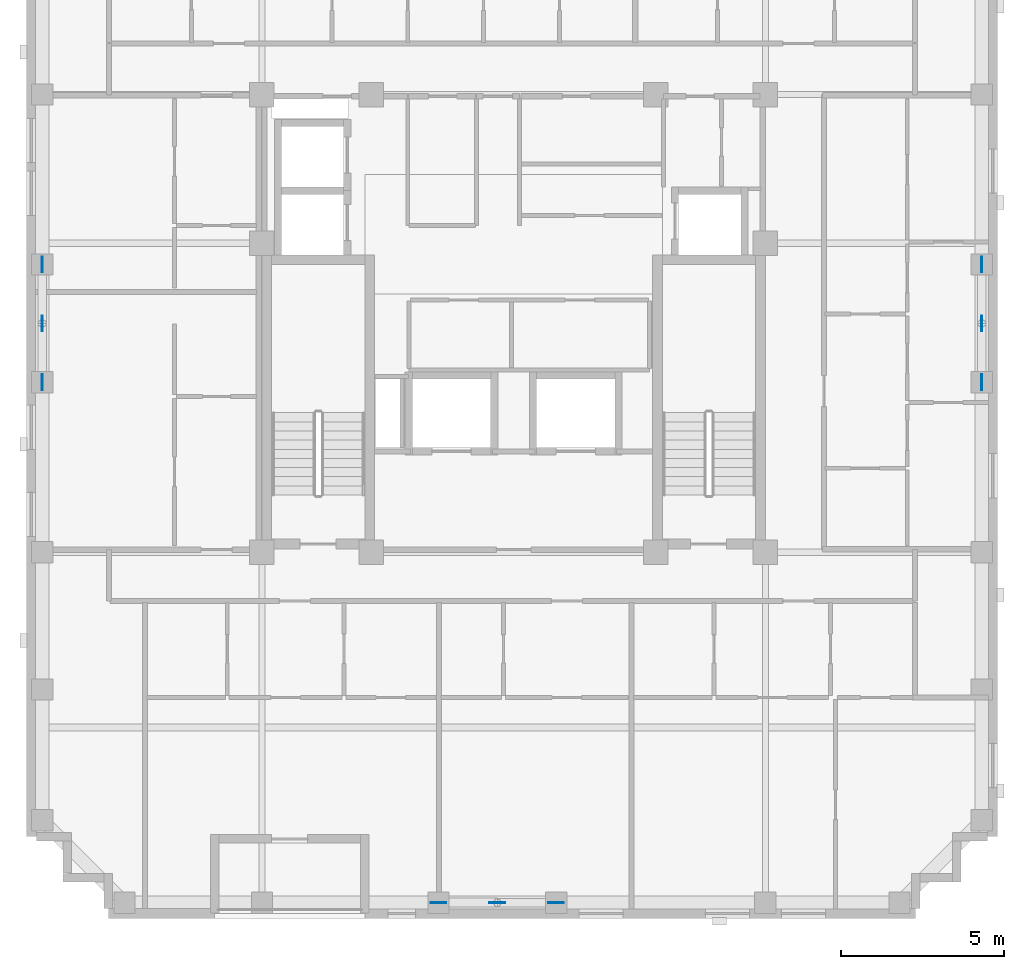
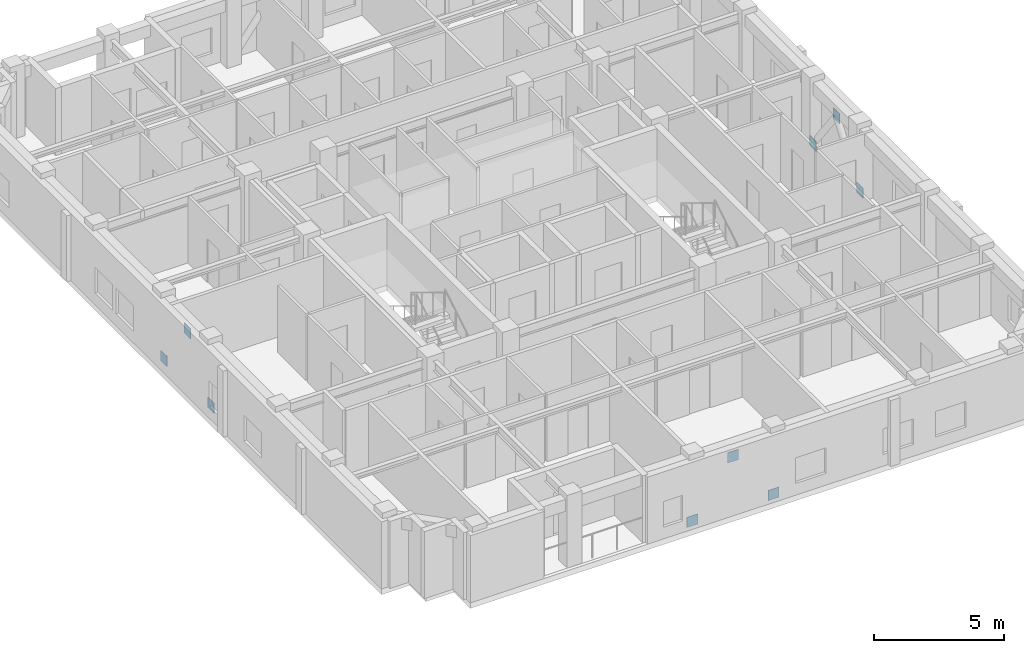
# One storey, part 8 of 11: 9 discrete accessories.
"""IFC4 building model written with IfcOpenShell, lengths in metres."""

from ifc_helpers import new_model, si_unit, derived_unit, direction, frame, origin, origin_2d, place, context, subcontext, project, spatial, rectangle, extrude, material, layer, layer_set, type_object, element, save


model = new_model("IFC4")

# Units and contexts
model_context = context("Model", 3, precision=1e-05, world=origin(), true_north=direction((0.0, 1.0)))
body_context = subcontext(model_context, "Body", "Model", "MODEL_VIEW")
ifc_project = project(units=[si_unit("LENGTHUNIT", "METRE"), si_unit("AREAUNIT", "SQUARE_METRE"), si_unit("VOLUMEUNIT", "CUBIC_METRE"), si_unit("PLANEANGLEUNIT", "RADIAN"), si_unit("MASSUNIT", "GRAM", prefix="KILO"), derived_unit("THERMALTRANSMITTANCEUNIT", [(si_unit("MASSUNIT", "GRAM", prefix="KILO"), 1), (si_unit("TIMEUNIT", "SECOND"), -3), (si_unit("THERMODYNAMICTEMPERATUREUNIT", "KELVIN"), -1)])], contexts=[model_context])

# Site, building, storey
site_placement = place(None, origin())
site = spatial("IfcSite", under=ifc_project, at=site_placement, CompositionType="ELEMENT")
building_placement = place(site_placement, origin())
building = spatial("IfcBuilding", under=site, at=building_placement, Name="Korrvale Station Residences", CompositionType="ELEMENT")
storey_placement = place(building_placement, frame((0.0, 0.0, 254.699951171875)))
storey = spatial("IfcBuildingStorey", under=building, at=storey_placement, Name="L74", CompositionType="ELEMENT", Elevation=254.699951171875)

# Discrete accessories
ifc_material = material(Name="Steel S355", Category="steel")
ifc_layer = layer(ifc_material, 0.02490234375, Name="Steel S355")
ifc_layer_set = layer_set([ifc_layer], Name="Steel S355")
discrete_accessory_type = type_object("IfcDiscreteAccessoryType", Name="ACC-GUSSET-25", PredefinedType="BRACKET", material=ifc_layer_set)
for number, where, z_axis, x_axis, name in (
    (1, (23.199951171875, 4.280029296875, -0.219970703125), (0.0, 0.0, 1.0), (1.0, 0.0, 0.0), "L74 S Brace End Gusset Connection A"),
    (2, (26.800048828125, 4.280029296875, -0.219970703125), (0.0, 0.0, 1.0), (1.0, 0.0, 0.0), "L74 S Brace End Gusset Connection B"),
    (3, (25.0, 4.280029296875, 2.170166015625), (0.0, 0.0, 1.0), (1.0, 0.0, 0.0), "L74 S Brace End Gusset Connection M"),
    (4, (11.080078125, 20.199951171875, -0.219970703125), (0.0, 0.0, 1.0), (0.0, 1.0, 0.0), "L74 W Brace End Gusset Connection A"),
    (5, (11.080078125, 23.800048828125, -0.219970703125), (0.0, 0.0, 1.0), (0.0, 1.0, 0.0), "L74 W Brace End Gusset Connection B"),
    (6, (11.080078125, 22.0, 2.170166015625), (0.0, 0.0, 1.0), (0.0, 1.0, 0.0), "L74 W Brace End Gusset Connection M"),
    (7, (39.820068359375, 20.199951171875, -0.219970703125), (0.0, 0.0, 1.0), (0.0, 1.0, 0.0), "L74 E Brace End Gusset Connection A"),
    (8, (39.820068359375, 23.800048828125, -0.219970703125), (0.0, 0.0, 1.0), (0.0, 1.0, 0.0), "L74 E Brace End Gusset Connection B"),
    (9, (39.820068359375, 22.0, 2.170166015625), (0.0, 0.0, 1.0), (0.0, 1.0, 0.0), "L74 E Brace End Gusset Connection M"),
):
    element("IfcDiscreteAccessory", number, at=place(storey_placement, frame(where, z_axis=z_axis, x_axis=x_axis)), inside=storey, type_object=discrete_accessory_type, Name=name, PredefinedType="BRACKET", context=body_context, shape_type="SweptSolid", body=[
        extrude(rectangle(XDim=0.47998046875, YDim=0.02490234375, at=origin_2d()), origin(), (0.0, 0.0, 1.0), 0.47998046875),
    ])

save(model, "model.ifc")
